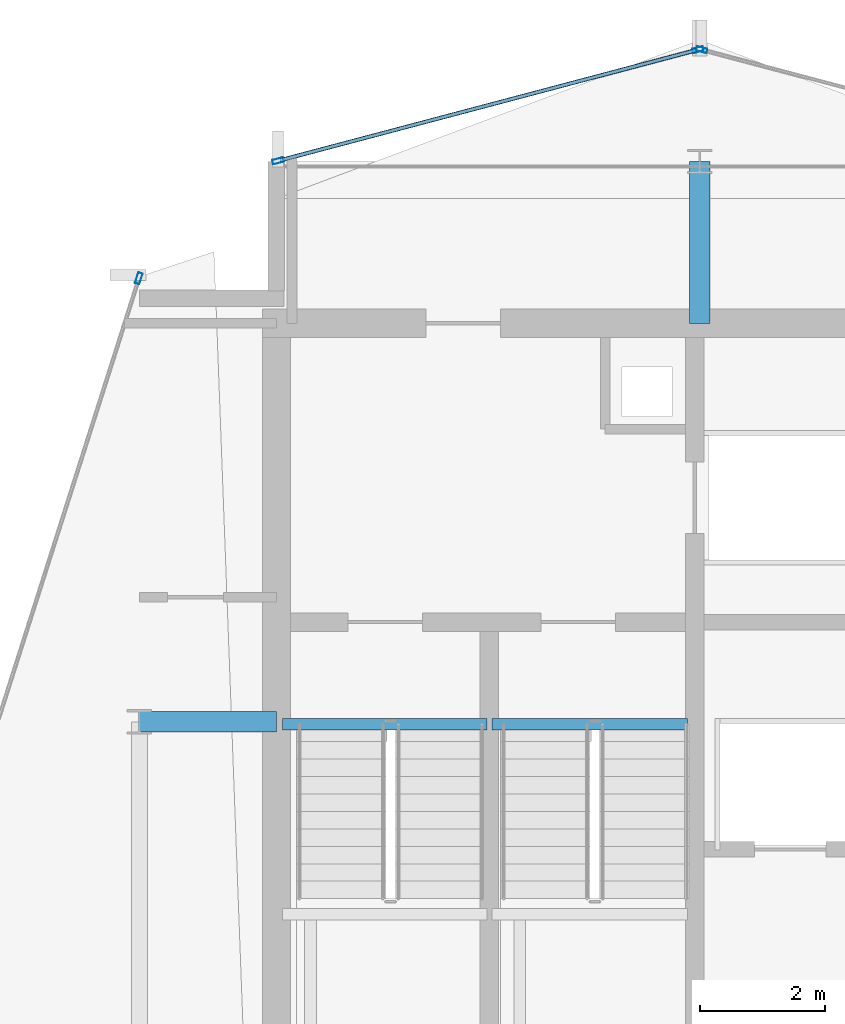
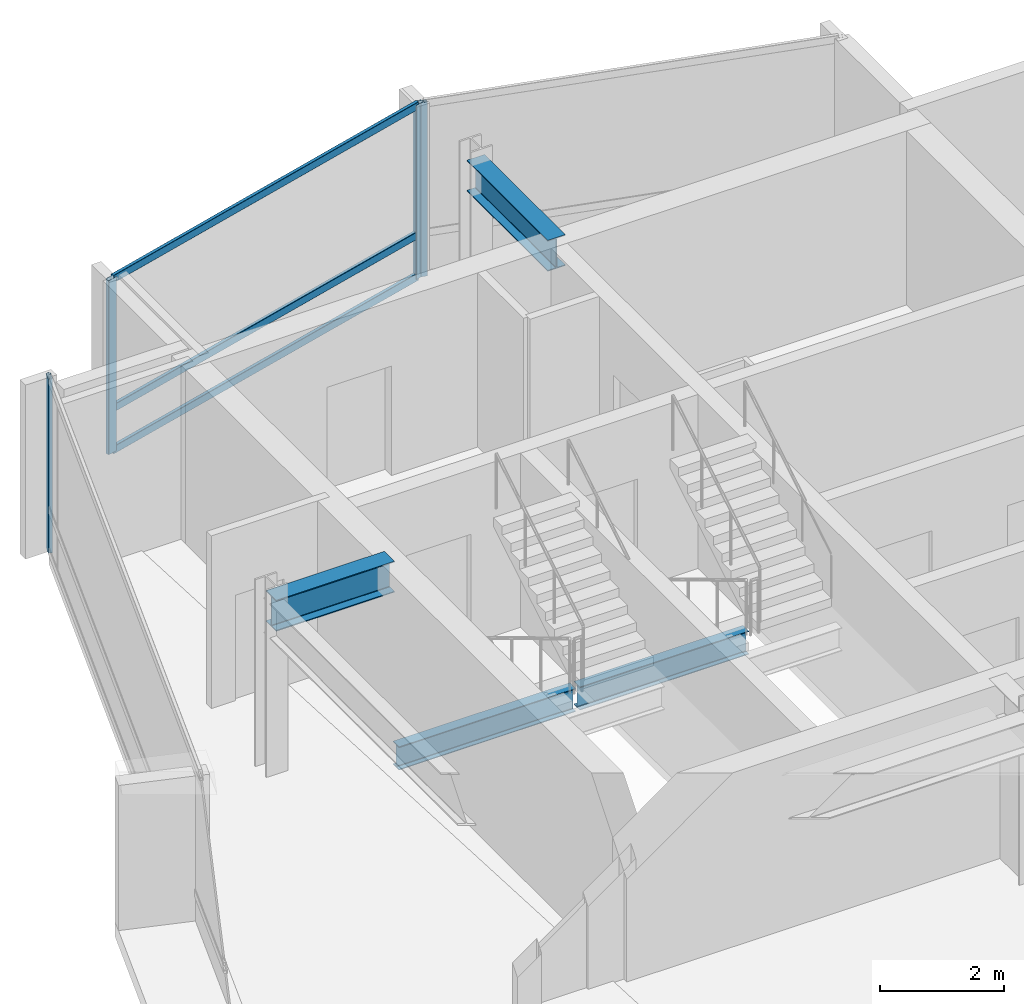
# One storey, part 11 of 19: 7 members, 4 beams, 3 elements without a shape of their own.
"""IFC4 building model written with IfcOpenShell, lengths in metres."""

from ifc_helpers import new_model, si_unit, direction, frame, origin, origin_2d, place, context, subcontext, project, spatial, hollow_rectangle, i_section, extrude, material, layer, layer_set, material_profile, profile_set, type_object, element, aggregate, save


model = new_model("IFC4")

# Units and contexts
model_context = context("Model", 3, precision=1e-05, world=origin(), true_north=direction((0.0, 1.0)))
body_context = subcontext(model_context, "Body", "Model", "MODEL_VIEW")
ifc_project = project(units=[si_unit("LENGTHUNIT", "METRE"), si_unit("AREAUNIT", "SQUARE_METRE"), si_unit("VOLUMEUNIT", "CUBIC_METRE"), si_unit("PLANEANGLEUNIT", "RADIAN"), si_unit("MASSUNIT", "GRAM", prefix="KILO")], contexts=[model_context])

# Site, building, storey
site_placement = place(None, origin())
site = spatial("IfcSite", under=ifc_project, at=site_placement, CompositionType="ELEMENT")
building_placement = place(site_placement, origin())
building = spatial("IfcBuilding", under=site, at=building_placement, Name="Solvaryn Broadcast Tower", CompositionType="ELEMENT")
storey_placement = place(building_placement, frame((0.0, 0.0, 244.5)))
storey = spatial("IfcBuildingStorey", under=building, at=storey_placement, Name="L61", CompositionType="ELEMENT", Elevation=244.5)

# Beams
ifc_material_1 = material(Name="Steel ASTM A992 Grade 50", Category="steel")
ifc_material_profile_1 = material_profile(ifc_material_1, i_section(OverallWidth=0.323974609375, OverallDepth=0.611083984375, WebThickness=0.0126953125, FlangeThickness=0.01904296875, FilletRadius=0.014892578125, at=origin_2d()))
ifc_profile_set_1 = profile_set([ifc_material_profile_1], Name="Steel ASTM A992 Grade 50")
beam_type_1 = type_object("IfcBeamType", Name="BM-B1-W24X104", PredefinedType="BEAM", material=ifc_profile_set_1)
beam_1_placement = place(storey_placement, frame((9.0, 36.0, 3.114501953125), z_axis=(1.0, 0.0, 0.0), x_axis=(0.0, 1.0, 0.0)))
element("IfcBeam", 1, at=beam_1_placement, inside=storey, type_object=beam_type_1, Name="L61 Core Tie Beam CTW1", PredefinedType="BEAM", context=body_context, shape_type="SweptSolid", body=[
    extrude(i_section(OverallWidth=0.323974609375, OverallDepth=0.611083984375, WebThickness=0.0126953125, FlangeThickness=0.01904296875, FilletRadius=0.014892578125, at=origin_2d()), origin(), (0.0, 0.0, 1.0), 2.199951171875),
])
beam_2_placement = place(storey_placement, frame((18.0, 42.39990234375, 3.114501953125), z_axis=(0.0, 1.0, 0.0), x_axis=(-1.0, 0.0, 0.0)))
element("IfcBeam", 2, at=beam_2_placement, inside=storey, type_object=beam_type_1, Name="L61 Core Tie Beam CTW3", PredefinedType="BEAM", context=body_context, shape_type="SweptSolid", body=[
    extrude(i_section(OverallWidth=0.323974609375, OverallDepth=0.611083984375, WebThickness=0.0126953125, FlangeThickness=0.01904296875, FilletRadius=0.014892578125, at=origin_2d()), origin(), (0.0, 0.0, 1.0), 2.60009765625),
])
ifc_material_2 = material(Name="Steel ASTM A992 Grade 50", Category="steel")
ifc_material_profile_2 = material_profile(ifc_material_2, i_section(OverallWidth=0.18994140625, OverallDepth=0.45703125, WebThickness=0.009033203125, FlangeThickness=0.014404296875, FilletRadius=0.011962890625, at=origin_2d()))
ifc_profile_set_2 = profile_set([ifc_material_profile_2], Name="Steel ASTM A992 Grade 50")
beam_type_2 = type_object("IfcBeamType", Name="BM-B4-W18X50", PredefinedType="BEAM", material=ifc_profile_set_2)
beam_3_placement = place(storey_placement, frame((11.300048828125, 35.9599609375, -0.508544921875), z_axis=(1.0, 0.0, 0.0), x_axis=(0.0, 1.0, 0.0)))
element("IfcBeam", 3, at=beam_3_placement, inside=storey, type_object=beam_type_2, Name="L61 ST1 Stair Well Trimmer Beam", PredefinedType="BEAM", context=body_context, shape_type="SweptSolid", body=[
    extrude(i_section(OverallWidth=0.18994140625, OverallDepth=0.45703125, WebThickness=0.009033203125, FlangeThickness=0.014404296875, FilletRadius=0.011962890625, at=origin_2d()), origin(), (0.0, 0.0, 1.0), 3.280029296875),
])
beam_4_placement = place(storey_placement, frame((14.659912109375, 35.9599609375, -0.508544921875), z_axis=(1.0, 0.0, 0.0), x_axis=(0.0, 1.0, 0.0)))
element("IfcBeam", 4, at=beam_4_placement, inside=storey, type_object=beam_type_2, Name="L61 ST2 Stair Well Trimmer Beam", PredefinedType="BEAM", context=body_context, shape_type="SweptSolid", body=[
    extrude(i_section(OverallWidth=0.18994140625, OverallDepth=0.45703125, WebThickness=0.009033203125, FlangeThickness=0.014404296875, FilletRadius=0.011962890625, at=origin_2d()), origin(), (0.0, 0.0, 1.0), 3.14013671875),
])

# Curtain wall, member
ifc_material_3 = material(Name="Aluminium and Terracotta Unitised Curtain Wall", Category="masonry")
ifc_layer = layer(ifc_material_3, 0.199951171875)
ifc_layer_set = layer_set([ifc_layer], Name="CW-SYS2-LOWMID")
curtain_wall_type = type_object("IfcCurtainWallType", Name="CW-SYS2-LOWMID", PredefinedType="NOTDEFINED", material=ifc_layer_set)
curtain_wall_1_placement = place(storey_placement, origin())
curtain_wall_1 = element("IfcCurtainWall", 5, at=curtain_wall_1_placement, inside=storey, type_object=curtain_wall_type, Name="L61 Curtain Wall DR1", PredefinedType="NOTDEFINED")
ifc_material_4 = material(Name="Anodised Aluminium 6063-T6", Category="aluminium")
ifc_material_profile_3 = material_profile(ifc_material_4, hollow_rectangle(XDim=0.074951171875, YDim=0.179931640625, WallThickness=0.00390625, InnerFilletRadius=0.00390625, OuterFilletRadius=0.008056640625, at=origin_2d()))
ifc_profile_set_3 = profile_set([ifc_material_profile_3], Name="Anodised Aluminium 6063-T6")
member_type_1 = type_object("IfcMemberType", Name="CW-MUL-180", PredefinedType="MULLION", material=ifc_profile_set_3)
member_1_placement = place(storey_placement, frame((8.990966796875, 43.120361328125, 0.0), z_axis=(0.0, 0.0, 1.0), x_axis=(0.952794594701, -0.30361564569, 0.0)))
member_1 = element("IfcMember", 6, at=member_1_placement, type_object=member_type_1, Name="CWS2 mullion 1", PredefinedType="MULLION", context=body_context, shape_type="SweptSolid", body=[
    extrude(hollow_rectangle(XDim=0.074951171875, YDim=0.179931640625, WallThickness=0.00390625, InnerFilletRadius=0.00390625, OuterFilletRadius=0.008056640625, at=origin_2d()), origin(), (0.0, 0.0, 1.0), 3.419921875),
])
aggregate(curtain_wall_1, [member_1])

curtain_wall_2_placement = place(storey_placement, origin())
curtain_wall_2 = element("IfcCurtainWall", 7, at=curtain_wall_2_placement, inside=storey, type_object=curtain_wall_type, Name="L61 Curtain Wall NT1", PredefinedType="NOTDEFINED")
member_2_placement = place(storey_placement, frame((18.029052734375, 46.792236328125, 0.0), z_axis=(0.0, 0.0, 1.0), x_axis=(-0.25589256031, -0.966705227863, 0.0)))
member_2 = element("IfcMember", 8, at=member_2_placement, type_object=member_type_1, Name="CWS2 mullion 2", PredefinedType="MULLION", context=body_context, shape_type="SweptSolid", body=[
    extrude(hollow_rectangle(XDim=0.074951171875, YDim=0.179931640625, WallThickness=0.00390625, InnerFilletRadius=0.00390625, OuterFilletRadius=0.008056640625, at=origin_2d()), origin(), (0.0, 0.0, 1.0), 3.419921875),
])
aggregate(curtain_wall_2, [member_2])

# Curtain wall, members
curtain_wall_3_placement = place(storey_placement, origin())
curtain_wall_3 = element("IfcCurtainWall", 9, at=curtain_wall_3_placement, inside=storey, type_object=curtain_wall_type, Name="L61 Curtain Wall NT2", PredefinedType="NOTDEFINED")
member_3_placement = place(storey_placement, frame((17.970947265625, 46.792236328125, 0.0), z_axis=(0.0, 0.0, 1.0), x_axis=(0.25589256031, -0.966705227863, 0.0)))
member_3 = element("IfcMember", 10, at=member_3_placement, type_object=member_type_1, Name="CWS2 mullion 1", PredefinedType="MULLION", context=body_context, shape_type="SweptSolid", body=[
    extrude(hollow_rectangle(XDim=0.074951171875, YDim=0.179931640625, WallThickness=0.00390625, InnerFilletRadius=0.00390625, OuterFilletRadius=0.008056640625, at=origin_2d()), origin(), (0.0, 0.0, 1.0), 3.419921875),
])
member_4_placement = place(storey_placement, frame((11.22900390625, 45.007568359375, 0.0), z_axis=(0.0, 0.0, 1.0), x_axis=(0.25589256031, -0.966705227863, 0.0)))
member_4 = element("IfcMember", 11, at=member_4_placement, type_object=member_type_1, Name="CWS2 mullion 2", PredefinedType="MULLION", context=body_context, shape_type="SweptSolid", body=[
    extrude(hollow_rectangle(XDim=0.074951171875, YDim=0.179931640625, WallThickness=0.00390625, InnerFilletRadius=0.00390625, OuterFilletRadius=0.008056640625, at=origin_2d()), origin(), (0.0, 0.0, 1.0), 3.419921875),
])
ifc_material_5 = material(Name="Anodised Aluminium 6063-T6", Category="aluminium")
ifc_material_profile_4 = material_profile(ifc_material_5, hollow_rectangle(XDim=0.06494140625, YDim=0.14990234375, WallThickness=0.00390625, InnerFilletRadius=0.00390625, OuterFilletRadius=0.008056640625, at=origin_2d()))
ifc_profile_set_4 = profile_set([ifc_material_profile_4], Name="Anodised Aluminium 6063-T6")
member_type_2 = type_object("IfcMemberType", Name="CW-TRN-150", PredefinedType="USERDEFINED", material=ifc_profile_set_4)
member_5_placement = place(storey_placement, frame((17.94189453125, 46.78466796875, 0.030029296875), z_axis=(-0.966703943301, -0.255897413051, 0.0), x_axis=(0.255897413051, -0.966703943301, 0.0)))
member_5 = element("IfcMember", 12, at=member_5_placement, type_object=member_type_2, Name="CWS2 transom 1.1", ObjectType="TRANSOM", PredefinedType="USERDEFINED", context=body_context, shape_type="SweptSolid", body=[
    extrude(hollow_rectangle(XDim=0.06494140625, YDim=0.14990234375, WallThickness=0.00390625, InnerFilletRadius=0.00390625, OuterFilletRadius=0.008056640625, at=origin_2d()), origin(), (0.0, 0.0, 1.0), 6.9140625),
])
member_6_placement = place(storey_placement, frame((17.94189453125, 46.78466796875, 0.85009765625), z_axis=(-0.966703943301, -0.255897413051, 0.0), x_axis=(0.255897413051, -0.966703943301, 0.0)))
member_6 = element("IfcMember", 13, at=member_6_placement, type_object=member_type_2, Name="CWS2 transom 1.2", ObjectType="TRANSOM", PredefinedType="USERDEFINED", context=body_context, shape_type="SweptSolid", body=[
    extrude(hollow_rectangle(XDim=0.06494140625, YDim=0.14990234375, WallThickness=0.00390625, InnerFilletRadius=0.00390625, OuterFilletRadius=0.008056640625, at=origin_2d()), origin(), (0.0, 0.0, 1.0), 6.9140625),
])
member_7_placement = place(storey_placement, frame((17.94189453125, 46.78466796875, 3.389892578125), z_axis=(-0.966703943301, -0.255897413051, 0.0), x_axis=(0.255897413051, -0.966703943301, 0.0)))
member_7 = element("IfcMember", 14, at=member_7_placement, type_object=member_type_2, Name="CWS2 transom 1.3", ObjectType="TRANSOM", PredefinedType="USERDEFINED", context=body_context, shape_type="SweptSolid", body=[
    extrude(hollow_rectangle(XDim=0.06494140625, YDim=0.14990234375, WallThickness=0.00390625, InnerFilletRadius=0.00390625, OuterFilletRadius=0.008056640625, at=origin_2d()), origin(), (0.0, 0.0, 1.0), 6.9140625),
])
aggregate(curtain_wall_3, [member_3, member_4, member_5, member_6, member_7])

save(model, "model.ifc")
